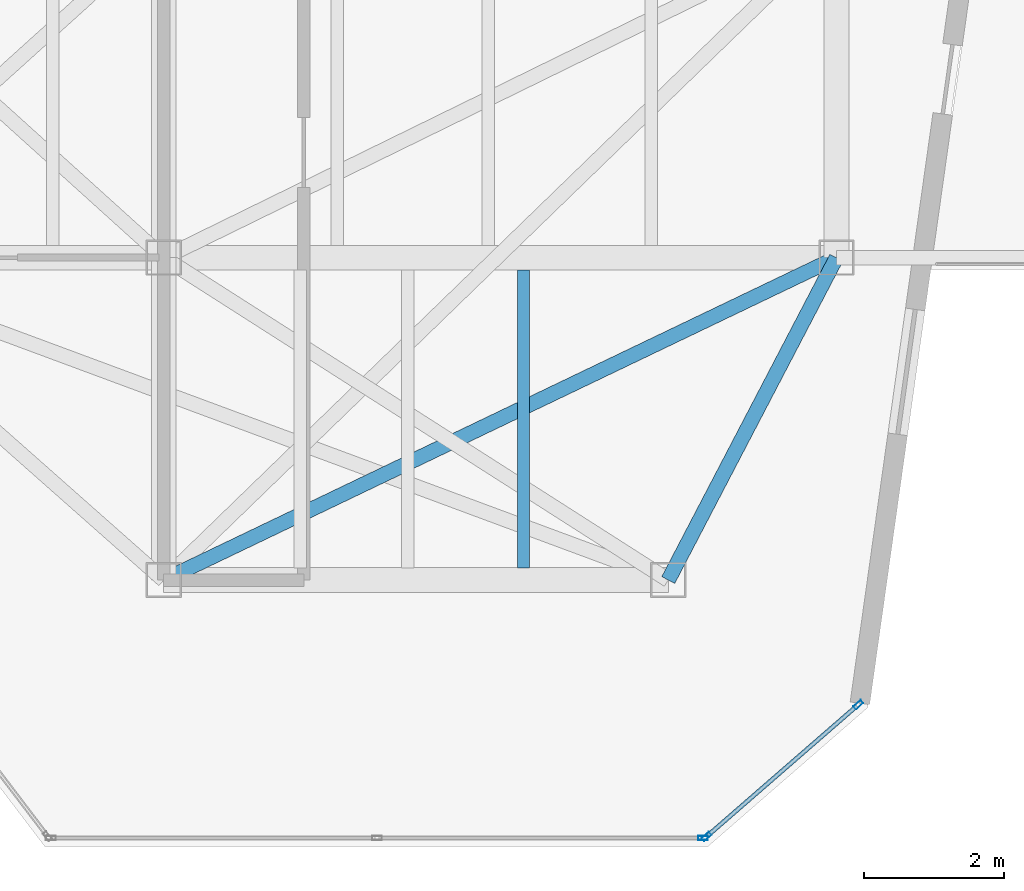
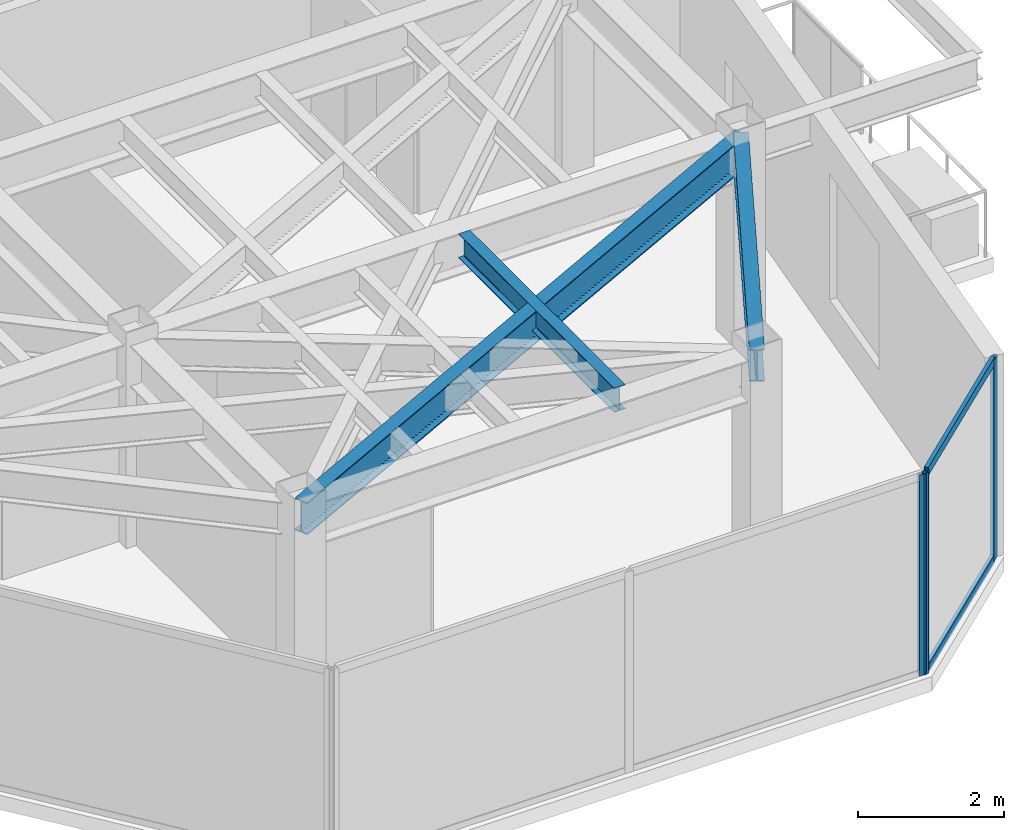
# One storey, part 13 of 19: 5 members, 3 beams, 2 elements without a shape of their own.
"""IFC4 building model written with IfcOpenShell, lengths in metres."""

from ifc_helpers import new_model, si_unit, direction, frame, origin, origin_2d, place, context, subcontext, project, spatial, hollow_rectangle, i_section, extrude, material, layer, layer_set, material_profile, profile_set, type_object, element, aggregate, save


model = new_model("IFC4")

# Units and contexts
model_context = context("Model", 3, precision=1e-05, world=origin(), true_north=direction((0.0, 1.0)))
body_context = subcontext(model_context, "Body", "Model", "MODEL_VIEW")
ifc_project = project(units=[si_unit("LENGTHUNIT", "METRE"), si_unit("AREAUNIT", "SQUARE_METRE"), si_unit("VOLUMEUNIT", "CUBIC_METRE"), si_unit("PLANEANGLEUNIT", "RADIAN"), si_unit("MASSUNIT", "GRAM", prefix="KILO")], contexts=[model_context])

# Site, building, storey
site_placement = place(None, origin())
site = spatial("IfcSite", under=ifc_project, at=site_placement, CompositionType="ELEMENT")
building_placement = place(site_placement, origin())
building = spatial("IfcBuilding", under=site, at=building_placement, Name="Kravanh Interchange Tower", CompositionType="ELEMENT")
storey_placement = place(building_placement, frame((0.0, 0.0, 270.60009765625)))
storey = spatial("IfcBuildingStorey", under=building, at=storey_placement, Name="L66", CompositionType="ELEMENT", Elevation=270.60009765625)

# Curtain wall, members
ifc_material_1 = material(Name="Anodised Bronze Aluminium", Category="aluminium")
ifc_layer = layer(ifc_material_1, 0.179931640625)
ifc_layer_set = layer_set([ifc_layer], Name="Unitised Curtain Wall System CW-HTL Luxury Hotel")
curtain_wall_type = type_object("IfcCurtainWallType", Name="Unitised Curtain Wall System CW-HTL Luxury Hotel", PredefinedType="NOTDEFINED", material=ifc_layer_set)
curtain_wall_1_placement = place(storey_placement, origin())
curtain_wall_1 = element("IfcCurtainWall", 1, at=curtain_wall_1_placement, inside=storey, type_object=curtain_wall_type, Name="L66 Unitised Curtain Wall CW-L66-02", PredefinedType="NOTDEFINED")
ifc_material_2 = material(Name="Anodised Bronze Aluminium", Category="aluminium")
ifc_material_profile_1 = material_profile(ifc_material_2, hollow_rectangle(XDim=0.06005859375, YDim=0.139892578125, WallThickness=0.00390625, at=origin_2d()), Name="ALU60X140X4")
ifc_profile_set_1 = profile_set([ifc_material_profile_1], Name="Anodised Bronze Aluminium")
member_type_1 = type_object("IfcMemberType", Name="Curtain Wall Mullion ALU60X140X4 Bronze", PredefinedType="MULLION", material=ifc_profile_set_1)
member_1_placement = place(storey_placement, frame((65.912841796875, 20.421875, 0.0), z_axis=(0.0, 0.0, 1.0), x_axis=(0.656033323139, -0.75473192521, 0.0)))
member_1 = element("IfcMember", 2, at=member_1_placement, type_object=member_type_1, Name="CW-HTL mullion 1", PredefinedType="MULLION", context=body_context, shape_type="SweptSolid", body=[
    extrude(hollow_rectangle(XDim=0.06005859375, YDim=0.139892578125, WallThickness=0.00390625, at=origin_2d()), origin(), (0.0, 0.0, 1.0), 3.35986328125),
])
member_2_placement = place(storey_placement, frame((63.74755859375, 18.539794921875, 0.0), z_axis=(0.0, 0.0, 1.0), x_axis=(0.656033323139, -0.75473192521, 0.0)))
member_2 = element("IfcMember", 3, at=member_2_placement, type_object=member_type_1, Name="CW-HTL mullion 2", PredefinedType="MULLION", context=body_context, shape_type="SweptSolid", body=[
    extrude(hollow_rectangle(XDim=0.06005859375, YDim=0.139892578125, WallThickness=0.00390625, at=origin_2d()), origin(), (0.0, 0.0, 1.0), 3.35986328125),
])

# Curtain wall, member
curtain_wall_2_placement = place(storey_placement, origin())
curtain_wall_2 = element("IfcCurtainWall", 4, at=curtain_wall_2_placement, inside=storey, type_object=curtain_wall_type, Name="L66 Unitised Curtain Wall CW-L66-03", PredefinedType="NOTDEFINED")
member_3_placement = place(storey_placement, frame((63.69482421875, 18.52001953125, 0.0), z_axis=(0.0, 0.0, 1.0), x_axis=(0.0, -1.0, 0.0)))
member_3 = element("IfcMember", 5, at=member_3_placement, type_object=member_type_1, Name="CW-HTL mullion 1", PredefinedType="MULLION", context=body_context, shape_type="SweptSolid", body=[
    extrude(hollow_rectangle(XDim=0.06005859375, YDim=0.139892578125, WallThickness=0.00390625, at=origin_2d()), origin(), (0.0, 0.0, 1.0), 3.35986328125),
])
aggregate(curtain_wall_2, [member_3])

# Member
ifc_material_3 = material(Name="Anodised Bronze Aluminium", Category="aluminium")
ifc_material_profile_2 = material_profile(ifc_material_3, hollow_rectangle(XDim=0.06005859375, YDim=0.139892578125, WallThickness=0.00390625, at=origin_2d()), Name="ALU60X140X4")
ifc_profile_set_2 = profile_set([ifc_material_profile_2], Name="Anodised Bronze Aluminium")
member_type_2 = type_object("IfcMemberType", Name="Curtain Wall Transom ALU60X140X4 Bronze", PredefinedType="USERDEFINED", material=ifc_profile_set_2)
member_4_placement = place(storey_placement, frame((65.89013671875, 20.40234375, 0.02978515625), z_axis=(-0.754704676026, -0.656064670581, 0.0), x_axis=(0.656064670581, -0.754704676026, 0.0)))
member_4 = element("IfcMember", 6, at=member_4_placement, type_object=member_type_2, Name="CW-HTL transom 1.1", ObjectType="TRANSOM", PredefinedType="USERDEFINED", context=body_context, shape_type="SweptSolid", body=[
    extrude(hollow_rectangle(XDim=0.06005859375, YDim=0.139892578125, WallThickness=0.00390625, at=origin_2d()), origin(), (0.0, 0.0, 1.0), 2.80908203125),
])

member_5_placement = place(storey_placement, frame((65.89013671875, 20.40234375, 3.329833984375), z_axis=(-0.754704676026, -0.656064670581, 0.0), x_axis=(0.656064670581, -0.754704676026, 0.0)))
member_5 = element("IfcMember", 7, at=member_5_placement, type_object=member_type_2, Name="CW-HTL transom 1.2", ObjectType="TRANSOM", PredefinedType="USERDEFINED", context=body_context, shape_type="SweptSolid", body=[
    extrude(hollow_rectangle(XDim=0.06005859375, YDim=0.139892578125, WallThickness=0.00390625, at=origin_2d()), origin(), (0.0, 0.0, 1.0), 2.80908203125),
])

aggregate(curtain_wall_1, [member_1, member_2, member_4, member_5])

# Beams
ifc_material_4 = material(Name="Structural Steel S355", Category="steel")
ifc_material_profile_3 = material_profile(ifc_material_4, i_section(OverallWidth=0.177978515625, OverallDepth=0.406005859375, WebThickness=0.0078125, FlangeThickness=0.0126953125, FilletRadius=0.01611328125, at=origin_2d()), Name="W16X40")
ifc_profile_set_3 = profile_set([ifc_material_profile_3], Name="Structural Steel S355")
beam_type_1 = type_object("IfcBeamType", Name="Floor Joist W16X40 Structural Steel S355", PredefinedType="JOIST", material=ifc_profile_set_3)
beam_1_placement = place(storey_placement, frame((61.134033203125, 22.37255859375, 3.156982421875), z_axis=(0.0, 1.0, 0.0), x_axis=(-1.0, 0.0, 0.0)))
element("IfcBeam", 8, at=beam_1_placement, inside=storey, type_object=beam_type_1, Name="L66 Secondary Floor Joist 3", PredefinedType="JOIST", context=body_context, shape_type="SweptSolid", body=[
    extrude(i_section(OverallWidth=0.177978515625, OverallDepth=0.406005859375, WebThickness=0.0078125, FlangeThickness=0.0126953125, FilletRadius=0.01611328125, at=origin_2d()), origin(), (0.0, 0.0, 1.0), 4.2548828125),
])
ifc_material_5 = material(Name="Structural Steel S355", Category="steel")
ifc_material_profile_4 = material_profile(ifc_material_5, i_section(OverallWidth=0.2099609375, OverallDepth=0.537109375, WebThickness=0.010986328125, FlangeThickness=0.017333984375, FilletRadius=0.02001953125, at=origin_2d()), Name="W21X68")
ifc_profile_set_4 = profile_set([ifc_material_profile_4], Name="Structural Steel S355")
beam_type_2 = type_object("IfcBeamType", Name="Floor Spandrel W21X68 Structural Steel S355", PredefinedType="SPANDREL", material=ifc_profile_set_4)
beam_2_placement = place(storey_placement, frame((65.60009765625, 26.800048828125, 3.09130859375), z_axis=(-0.462580479178, -0.886577295155, 0.0), x_axis=(0.886577295155, -0.462580479178, 0.0)))
element("IfcBeam", 9, at=beam_2_placement, inside=storey, type_object=beam_type_2, Name="L66 Perimeter Spandrel 31", PredefinedType="SPANDREL", context=body_context, shape_type="SweptSolid", body=[
    extrude(i_section(OverallWidth=0.2099609375, OverallDepth=0.537109375, WebThickness=0.010986328125, FlangeThickness=0.017333984375, FilletRadius=0.02001953125, at=origin_2d()), origin(), (0.0, 0.0, 1.0), 5.188720703125),
])
beam_3_placement = place(storey_placement, frame((65.60009765625, 26.800048828125, 3.09130859375), z_axis=(-0.901814166789, -0.432124066188, 0.0), x_axis=(0.432124066188, -0.901814166789, 0.0)))
element("IfcBeam", 10, at=beam_3_placement, inside=storey, type_object=beam_type_2, Name="L66 Perimeter Spandrel 32", PredefinedType="SPANDREL", context=body_context, shape_type="SweptSolid", body=[
    extrude(i_section(OverallWidth=0.2099609375, OverallDepth=0.537109375, WebThickness=0.010986328125, FlangeThickness=0.017333984375, FilletRadius=0.02001953125, at=origin_2d()), origin(), (0.0, 0.0, 1.0), 10.645263671875),
])

save(model, "model.ifc")
